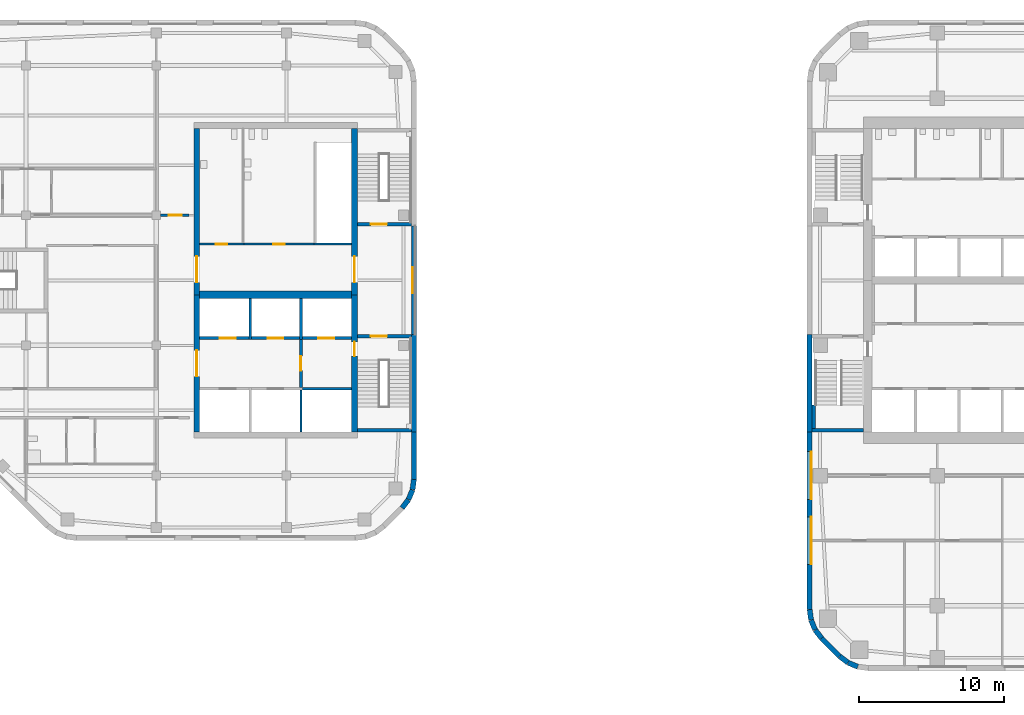
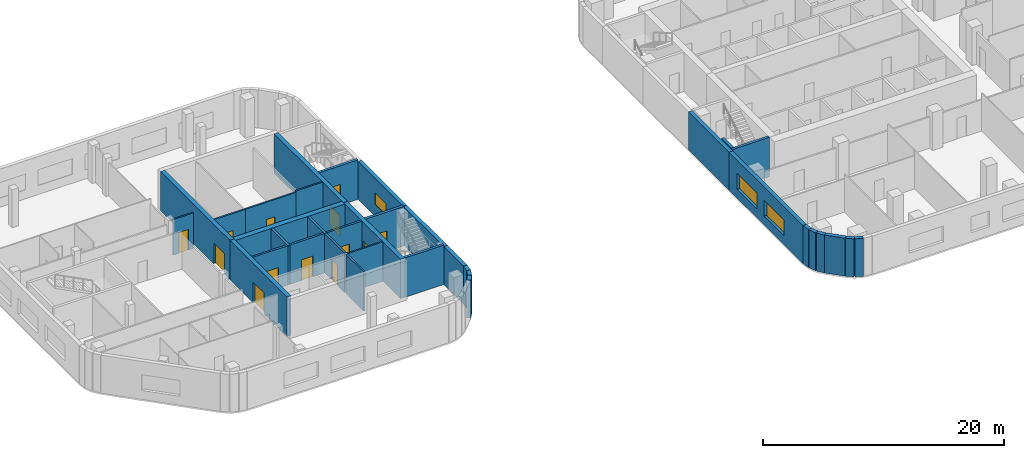
# One storey, part 6 of 14: 36 walls, 13 doors, 3 windows, 16 openings.
"""IFC4 building model written with IfcOpenShell, lengths in metres."""

from ifc_helpers import new_model, si_unit, direction, frame, frame_2d, origin, place, context, subcontext, project, spatial, rectangle, extrude, material, layer, layer_set, type_object, element, fill, save


model = new_model("IFC4")

# Units and contexts
model_context = context("Model", 3, precision=1e-05, world=origin(), true_north=direction((0.0, 1.0)))
body_context = subcontext(model_context, "Body", "Model", "MODEL_VIEW")
ifc_project = project(units=[si_unit("LENGTHUNIT", "METRE"), si_unit("AREAUNIT", "SQUARE_METRE"), si_unit("VOLUMEUNIT", "CUBIC_METRE"), si_unit("PLANEANGLEUNIT", "RADIAN"), si_unit("MASSUNIT", "GRAM", prefix="KILO")], contexts=[model_context])

# Site, building, storey
site_placement = place(None, origin())
site = spatial("IfcSite", under=ifc_project, at=site_placement, CompositionType="ELEMENT")
building_placement = place(site_placement, origin())
building = spatial("IfcBuilding", under=site, at=building_placement, Name="Cinnabar Reach Civic Tower", CompositionType="ELEMENT")
storey_placement = place(building_placement, frame((0.0, 0.0, 124.0)))
storey = spatial("IfcBuildingStorey", under=building, at=storey_placement, Name="L29", CompositionType="ELEMENT", Elevation=124.0)

# Walls
ifc_material_1 = material(Name="Facing brick with insulated backing", Category="masonry")
ifc_layer_1 = layer(ifc_material_1, 0.36)
ifc_layer_set_1 = layer_set([ifc_layer_1], Name="Brick corner wall")
wall_type_1 = type_object("IfcWallType", Name="Brick corner wall", PredefinedType="STANDARD", material=ifc_layer_set_1)
for number, where, z_axis, x_axis, name in (
    (1, (0.183, 8.7314, 0.0), (0.0, 0.0, 1.0), (0.13055608231, -0.99144092581, 0.0), "Brick corner wall"),
    (2, (0.2819, 8.0027, 0.0), (0.0, 0.0, 1.0), (0.382702709855, -0.923871547278, 0.0), "Brick corner wall"),
):
    element("IfcWall", number, at=place(storey_placement, frame(where, z_axis=z_axis, x_axis=x_axis)), inside=storey, type_object=wall_type_1, Name=name, PredefinedType="STANDARD", context=body_context, shape_type="SweptSolid", body=[
        extrude(rectangle(XDim=0.7131, YDim=0.36, at=frame_2d((0.3565, 0.0))), origin(), (0.0, 0.0, 1.0), 3.85),
    ])
for number, where, z_axis, x_axis, name in (
    (3, (0.566, 7.3245, 0.0), (0.0, 0.0, 1.0), (0.608802368033, -0.793321924995, 0.0), "Brick corner wall"),
    (4, (2.2587, 5.5002, 0.0), (0.0, 0.0, 1.0), (0.793321924995, -0.608802368033, 0.0), "Brick corner wall"),
):
    element("IfcWall", number, at=place(storey_placement, frame(where, z_axis=z_axis, x_axis=x_axis)), inside=storey, type_object=wall_type_1, Name=name, PredefinedType="STANDARD", context=body_context, shape_type="SweptSolid", body=[
        extrude(rectangle(XDim=0.7132, YDim=0.36, at=frame_2d((0.3566, 0.0))), origin(), (0.0, 0.0, 1.0), 3.85),
    ])
wall_1_placement = place(storey_placement, frame((2.8439, 5.0548, 0.0), z_axis=(0.0, 0.0, 1.0), x_axis=(0.923871547278, -0.382702709855, 0.0)))
element("IfcWall", 5, at=wall_1_placement, inside=storey, type_object=wall_type_1, Name="Brick corner wall", PredefinedType="STANDARD", context=body_context, shape_type="SweptSolid", body=[
    extrude(rectangle(XDim=0.7131, YDim=0.36, at=frame_2d((0.3565, 0.0))), origin(), (0.0, 0.0, 1.0), 3.85),
])
wall_2_placement = place(storey_placement, frame((-28.0002, 15.7587, 0.0), z_axis=(0.0, 0.0, 1.0), x_axis=(0.608802368033, 0.793321924995, 0.0)))
element("IfcWall", 6, at=wall_2_placement, inside=storey, type_object=wall_type_1, Name="Brick corner wall", PredefinedType="STANDARD", context=body_context, shape_type="SweptSolid", body=[
    extrude(rectangle(XDim=0.7132, YDim=0.36, at=frame_2d((0.3566, 0.0))), origin(), (0.0, 0.0, 1.0), 3.85),
])
for number, where, z_axis, x_axis, name in (
    (7, (-27.5548, 16.3439, 0.0), (0.0, 0.0, 1.0), (0.382702709855, 0.923871547278, 0.0), "Brick corner wall"),
    (8, (-27.2761, 17.0244, 0.0), (0.0, 0.0, 1.0), (0.13055608231, 0.99144092581, 0.0), "Brick corner wall"),
):
    element("IfcWall", number, at=place(storey_placement, frame(where, z_axis=z_axis, x_axis=x_axis)), inside=storey, type_object=wall_type_1, Name=name, PredefinedType="STANDARD", context=body_context, shape_type="SweptSolid", body=[
        extrude(rectangle(XDim=0.7131, YDim=0.36, at=frame_2d((0.3565, 0.0))), origin(), (0.0, 0.0, 1.0), 3.85),
    ])
ifc_layer_2 = layer(ifc_material_1, 0.36)
ifc_layer_set_2 = layer_set([ifc_layer_2], Name="Brick pier and spandrel wall")
wall_type_2 = type_object("IfcWallType", Name="Brick pier and spandrel wall", PredefinedType="STANDARD", material=ifc_layer_set_2)
wall_3_placement = place(storey_placement, frame((0.18, 27.75, 0.0), z_axis=(0.0, 0.0, 1.0), x_axis=(0.0, -1.0, 0.0)))
element("IfcWall", 9, at=wall_3_placement, inside=storey, type_object=wall_type_2, Name="Brick facade wall", PredefinedType="STANDARD", context=body_context, shape_type="SweptSolid", body=[
    extrude(rectangle(XDim=6.75, YDim=0.36, at=frame_2d((3.375, 0.0))), origin(), (0.0, 0.0, 1.0), 3.85),
])

# Wall, openings, windows
wall_4_placement = place(storey_placement, frame((0.18, 21.0, 0.0), z_axis=(0.0, 0.0, 1.0), x_axis=(0.0, -1.0, 0.0)))
wall_4 = element("IfcWall", 10, at=wall_4_placement, inside=storey, type_object=wall_type_2, Name="Brick facade wall", PredefinedType="STANDARD", context=body_context, shape_type="SweptSolid", body=[
    extrude(rectangle(XDim=12.2574, YDim=0.36, at=frame_2d((6.1287, 0.0))), origin(), (0.0, 0.0, 1.0), 3.85),
])
opening_1_placement = place(wall_4_placement, frame((1.35, 0.0, 0.9)))
opening_1 = element("IfcOpeningElement", 11, at=opening_1_placement, cuts=wall_4, Name="Opening W1631", PredefinedType="OPENING", context=body_context, shape_type="SweptSolid", body=[
    extrude(rectangle(XDim=3.3, YDim=1.6, at=frame_2d((1.65, 0.8))), frame((0.0, 0.19, 0.0), z_axis=(0.0, -1.0, 0.0), x_axis=(1.0, 0.0, 0.0)), (0.0, 0.0, 1.0), 0.38),
])
opening_2_placement = place(wall_4_placement, frame((5.85, 0.0, 0.9)))
opening_2 = element("IfcOpeningElement", 12, at=opening_2_placement, cuts=wall_4, Name="Opening W1632", PredefinedType="OPENING", context=body_context, shape_type="SweptSolid", body=[
    extrude(rectangle(XDim=3.3, YDim=1.6, at=frame_2d((1.65, 0.8))), frame((0.0, 0.19, 0.0), z_axis=(0.0, -1.0, 0.0), x_axis=(1.0, 0.0, 0.0)), (0.0, 0.0, 1.0), 0.38),
])
ifc_material_2 = material(Name="Clear double glazing in aluminium frame", Category="aluminium")
window_type_1 = type_object("IfcWindowType", Name="Deep-set window A", PartitioningType="SINGLE_PANEL", PredefinedType="WINDOW", material=ifc_material_2)
window_1_placement = place(opening_1_placement, origin())
window_1 = element("IfcWindow", 13, at=window_1_placement, inside=storey, type_object=window_type_1, Name="Window west face", OverallHeight=1.6, OverallWidth=3.3, PartitioningType="SINGLE_PANEL", PredefinedType="WINDOW", context=body_context, shape_type="SweptSolid", body=[
    extrude(rectangle(XDim=3.3, YDim=1.6, at=frame_2d((1.65, 0.8))), frame((0.0, 0.13, 0.0), z_axis=(0.0, -1.0, 0.0), x_axis=(1.0, 0.0, 0.0)), (0.0, 0.0, 1.0), 0.06),
])
fill(opening_1, window_1)
window_2_placement = place(opening_2_placement, origin())
window_2 = element("IfcWindow", 14, at=window_2_placement, inside=storey, type_object=window_type_1, Name="Window west face", OverallHeight=1.6, OverallWidth=3.3, PartitioningType="SINGLE_PANEL", PredefinedType="WINDOW", context=body_context, shape_type="SweptSolid", body=[
    extrude(rectangle(XDim=3.3, YDim=1.6, at=frame_2d((1.65, 0.8))), frame((0.0, 0.13, 0.0), z_axis=(0.0, -1.0, 0.0), x_axis=(1.0, 0.0, 0.0)), (0.0, 0.0, 1.0), 0.06),
])
fill(opening_2, window_2)

# Walls
wall_5_placement = place(storey_placement, frame((1.006, 6.7486, 0.0), z_axis=(0.0, 0.0, 1.0), x_axis=(0.707106781187, -0.707106781187, 0.0)))
element("IfcWall", 15, at=wall_5_placement, inside=storey, type_object=wall_type_2, Name="Brick facade wall", PredefinedType="STANDARD", context=body_context, shape_type="SweptSolid", body=[
    extrude(rectangle(XDim=1.7573, YDim=0.36, at=frame_2d((0.8787, 0.0))), origin(), (0.0, 0.0, 1.0), 3.85),
])
wall_6_placement = place(storey_placement, frame((-27.18, 17.7426, 0.0), z_axis=(0.0, 0.0, 1.0), x_axis=(0.0, 1.0, 0.0)))
element("IfcWall", 16, at=wall_6_placement, inside=storey, type_object=wall_type_2, Name="Brick facade wall", PredefinedType="STANDARD", context=body_context, shape_type="SweptSolid", body=[
    extrude(rectangle(XDim=3.2574, YDim=0.36, at=frame_2d((1.6287, 0.0))), origin(), (0.0, 0.0, 1.0), 3.85),
])
wall_7_placement = place(storey_placement, frame((-27.18, 21.0, 0.0), z_axis=(0.0, 0.0, 1.0), x_axis=(0.0, 1.0, 0.0)))
element("IfcWall", 17, at=wall_7_placement, inside=storey, type_object=wall_type_2, Name="Brick facade wall", PredefinedType="STANDARD", context=body_context, shape_type="SweptSolid", body=[
    extrude(rectangle(XDim=6.75, YDim=0.36, at=frame_2d((3.375, 0.0))), origin(), (0.0, 0.0, 1.0), 3.85),
])

# Wall, opening, window
wall_8_placement = place(storey_placement, frame((-27.18, 27.75, 0.0), z_axis=(0.0, 0.0, 1.0), x_axis=(0.0, 1.0, 0.0)))
wall_8 = element("IfcWall", 18, at=wall_8_placement, inside=storey, type_object=wall_type_2, Name="Brick facade wall", PredefinedType="STANDARD", context=body_context, shape_type="SweptSolid", body=[
    extrude(rectangle(XDim=7.5, YDim=0.36, at=frame_2d((3.75, 0.0))), origin(), (0.0, 0.0, 1.0), 3.85),
])
opening_3_placement = place(wall_8_placement, frame((2.85, 0.0, 1.2)))
opening_3 = element("IfcOpeningElement", 19, at=opening_3_placement, cuts=wall_8, Name="Opening W2754", PredefinedType="OPENING", context=body_context, shape_type="SweptSolid", body=[
    extrude(rectangle(XDim=1.8, YDim=1.2, at=frame_2d((0.9, 0.6))), frame((0.0, 0.19, 0.0), z_axis=(0.0, -1.0, 0.0), x_axis=(1.0, 0.0, 0.0)), (0.0, 0.0, 1.0), 0.38),
])
window_type_2 = type_object("IfcWindowType", Name="Deep-set window C", PartitioningType="SINGLE_PANEL", PredefinedType="WINDOW", material=ifc_material_2)
window_3_placement = place(opening_3_placement, origin())
window_3 = element("IfcWindow", 20, at=window_3_placement, inside=storey, type_object=window_type_2, Name="Window east face", OverallHeight=1.2, OverallWidth=1.8, PartitioningType="SINGLE_PANEL", PredefinedType="WINDOW", context=body_context, shape_type="SweptSolid", body=[
    extrude(rectangle(XDim=1.8, YDim=1.2, at=frame_2d((0.9, 0.6))), frame((0.0, 0.13, 0.0), z_axis=(0.0, -1.0, 0.0), x_axis=(1.0, 0.0, 0.0)), (0.0, 0.0, 1.0), 0.06),
])
fill(opening_3, window_3)

# Wall, opening, door
ifc_material_3 = material(Name="Concrete C60", Category="concrete")
ifc_layer_3 = layer(ifc_material_3, 0.4)
ifc_layer_set_3 = layer_set([ifc_layer_3], Name="Core wall 400 EI 180")
wall_type_3 = type_object("IfcWallType", Name="Core wall 400 EI 180", PredefinedType="SOLIDWALL", material=ifc_layer_set_3)
wall_9_placement = place(storey_placement, frame((-31.3, 21.0, 0.0), z_axis=(0.0, 0.0, 1.0), x_axis=(0.0, 1.0, 0.0)))
wall_9 = element("IfcWall", 21, at=wall_9_placement, inside=storey, type_object=wall_type_3, Name="Core wall T2 L29 E", PredefinedType="SOLIDWALL", context=body_context, shape_type="SweptSolid", body=[
    extrude(rectangle(XDim=9.5, YDim=0.4, at=frame_2d((4.75, 0.0))), origin(), (0.0, 0.0, 1.0), 4.0),
])
opening_4_placement = place(wall_9_placement, frame((5.25, 0.0, 0.0)))
opening_4 = element("IfcOpeningElement", 22, at=opening_4_placement, cuts=wall_9, Name="Opening D7046", PredefinedType="OPENING", context=body_context, shape_type="SweptSolid", body=[
    extrude(rectangle(XDim=1.0, YDim=2.1, at=frame_2d((0.5, 1.05))), frame((0.0, 0.21, 0.0), z_axis=(0.0, -1.0, 0.0), x_axis=(1.0, 0.0, 0.0)), (0.0, 0.0, 1.0), 0.42),
])
ifc_material_4 = material(Name="Steel fire door", Category="steel")
door_type_1 = type_object("IfcDoorType", Name="T2 Firefighting lobby door 1000", OperationType="SINGLE_SWING_LEFT", PredefinedType="DOOR", material=ifc_material_4)
door_1_placement = place(opening_4_placement, frame((1.0, 0.0, 0.0), z_axis=(0.0, 0.0, 1.0), x_axis=(-1.0, 0.0, 0.0)))
door_1 = element("IfcDoor", 23, at=door_1_placement, inside=storey, type_object=door_type_1, Name="T2 Firefighting lobby door D7046", OperationType="SINGLE_SWING_LEFT", OverallHeight=2.1, OverallWidth=1.0, PredefinedType="DOOR", context=body_context, shape_type="SweptSolid", body=[
    extrude(rectangle(XDim=1.0, YDim=2.1, at=frame_2d((0.5, 1.05))), frame((0.0, 0.025, 0.0), z_axis=(0.0, -1.0, 0.0), x_axis=(1.0, 0.0, 0.0)), (0.0, 0.0, 1.0), 0.05),
])
fill(opening_4, door_1)

wall_10_placement = place(storey_placement, frame((-31.3, 30.5, 0.0), z_axis=(0.0, 0.0, 1.0), x_axis=(0.0, 1.0, 0.0)))
wall_10 = element("IfcWall", 24, at=wall_10_placement, inside=storey, type_object=wall_type_3, Name="Core wall T2 L29 E2", PredefinedType="SOLIDWALL", context=body_context, shape_type="SweptSolid", body=[
    extrude(rectangle(XDim=11.5, YDim=0.4, at=frame_2d((5.75, 0.0))), origin(), (0.0, 0.0, 1.0), 4.0),
])
opening_5_placement = place(wall_10_placement, frame((0.85, 0.0, 0.0)))
opening_5 = element("IfcOpeningElement", 25, at=opening_5_placement, cuts=wall_10, Name="Opening D7049", PredefinedType="OPENING", context=body_context, shape_type="SweptSolid", body=[
    extrude(rectangle(XDim=1.8, YDim=2.1, at=frame_2d((0.9, 1.05))), frame((0.0, 0.21, 0.0), z_axis=(0.0, -1.0, 0.0), x_axis=(1.0, 0.0, 0.0)), (0.0, 0.0, 1.0), 0.42),
])
door_type_2 = type_object("IfcDoorType", Name="T2 Double door 1800", OperationType="DOUBLE_DOOR_SINGLE_SWING", PredefinedType="DOOR", material=ifc_material_4)
door_2_placement = place(opening_5_placement, origin())
door_2 = element("IfcDoor", 26, at=door_2_placement, inside=storey, type_object=door_type_2, Name="T2 Double door D7049", OperationType="DOUBLE_DOOR_SINGLE_SWING", OverallHeight=2.1, OverallWidth=1.8, PredefinedType="DOOR", context=body_context, shape_type="SweptSolid", body=[
    extrude(rectangle(XDim=1.8, YDim=2.1, at=frame_2d((0.9, 1.05))), frame((0.0, 0.025, 0.0), z_axis=(0.0, -1.0, 0.0), x_axis=(1.0, 0.0, 0.0)), (0.0, 0.0, 1.0), 0.05),
])
fill(opening_5, door_2)

wall_11_placement = place(storey_placement, frame((-42.2, 42.0, 0.0), z_axis=(0.0, 0.0, 1.0), x_axis=(0.0, -1.0, 0.0)))
wall_11 = element("IfcWall", 27, at=wall_11_placement, inside=storey, type_object=wall_type_3, Name="Core wall T2 L29 W", PredefinedType="SOLIDWALL", context=body_context, shape_type="SweptSolid", body=[
    extrude(rectangle(XDim=11.5, YDim=0.4, at=frame_2d((5.75, 0.0))), origin(), (0.0, 0.0, 1.0), 4.0),
])
opening_6_placement = place(wall_11_placement, frame((8.85, 0.0, 0.0)))
opening_6 = element("IfcOpeningElement", 28, at=opening_6_placement, cuts=wall_11, Name="Opening D7051", PredefinedType="OPENING", context=body_context, shape_type="SweptSolid", body=[
    extrude(rectangle(XDim=1.8, YDim=2.1, at=frame_2d((0.9, 1.05))), frame((0.0, 0.21, 0.0), z_axis=(0.0, -1.0, 0.0), x_axis=(1.0, 0.0, 0.0)), (0.0, 0.0, 1.0), 0.42),
])
door_3_placement = place(opening_6_placement, frame((1.8, 0.0, 0.0), z_axis=(0.0, 0.0, 1.0), x_axis=(-1.0, 0.0, 0.0)))
door_3 = element("IfcDoor", 29, at=door_3_placement, inside=storey, type_object=door_type_2, Name="T2 Double door D7051", OperationType="DOUBLE_DOOR_SINGLE_SWING", OverallHeight=2.1, OverallWidth=1.8, PredefinedType="DOOR", context=body_context, shape_type="SweptSolid", body=[
    extrude(rectangle(XDim=1.8, YDim=2.1, at=frame_2d((0.9, 1.05))), frame((0.0, 0.025, 0.0), z_axis=(0.0, -1.0, 0.0), x_axis=(1.0, 0.0, 0.0)), (0.0, 0.0, 1.0), 0.05),
])
fill(opening_6, door_3)

wall_12_placement = place(storey_placement, frame((-42.2, 30.5, 0.0), z_axis=(0.0, 0.0, 1.0), x_axis=(0.0, -1.0, 0.0)))
wall_12 = element("IfcWall", 30, at=wall_12_placement, inside=storey, type_object=wall_type_3, Name="Core wall T2 L29 W2", PredefinedType="SOLIDWALL", context=body_context, shape_type="SweptSolid", body=[
    extrude(rectangle(XDim=9.5, YDim=0.4, at=frame_2d((4.75, 0.0))), origin(), (0.0, 0.0, 1.0), 4.0),
])
opening_7_placement = place(wall_12_placement, frame((3.85, 0.0, 0.0)))
opening_7 = element("IfcOpeningElement", 31, at=opening_7_placement, cuts=wall_12, Name="Opening D7050", PredefinedType="OPENING", context=body_context, shape_type="SweptSolid", body=[
    extrude(rectangle(XDim=1.8, YDim=2.1, at=frame_2d((0.9, 1.05))), frame((0.0, 0.21, 0.0), z_axis=(0.0, -1.0, 0.0), x_axis=(1.0, 0.0, 0.0)), (0.0, 0.0, 1.0), 0.42),
])
door_4_placement = place(opening_7_placement, origin())
door_4 = element("IfcDoor", 32, at=door_4_placement, inside=storey, type_object=door_type_2, Name="T2 Double door D7050", OperationType="DOUBLE_DOOR_SINGLE_SWING", OverallHeight=2.1, OverallWidth=1.8, PredefinedType="DOOR", context=body_context, shape_type="SweptSolid", body=[
    extrude(rectangle(XDim=1.8, YDim=2.1, at=frame_2d((0.9, 1.05))), frame((0.0, 0.025, 0.0), z_axis=(0.0, -1.0, 0.0), x_axis=(1.0, 0.0, 0.0)), (0.0, 0.0, 1.0), 0.05),
])
fill(opening_7, door_4)

# Wall
ifc_layer_4 = layer(ifc_material_3, 0.5)
ifc_layer_set_4 = layer_set([ifc_layer_4], Name="Core wall 500 EI 180")
wall_type_4 = type_object("IfcWallType", Name="Core wall 500 EI 180", PredefinedType="SOLIDWALL", material=ifc_layer_set_4)
wall_13_placement = place(storey_placement, frame((-42.0, 30.5, 0.0), z_axis=(0.0, 0.0, 1.0), x_axis=(1.0, 0.0, 0.0)))
element("IfcWall", 33, at=wall_13_placement, inside=storey, type_object=wall_type_4, Name="Core spine wall T2 L29", PredefinedType="SOLIDWALL", context=body_context, shape_type="SweptSolid", body=[
    extrude(rectangle(XDim=10.5, YDim=0.5, at=frame_2d((5.25, 0.0))), origin(), (0.0, 0.0, 1.0), 4.0),
])

# Wall, opening, door
ifc_material_5 = material(Name="Gypsum board on steel studs, double layer", Category="steel")
ifc_layer_5 = layer(ifc_material_5, 0.15)
ifc_layer_set_5 = layer_set([ifc_layer_5], Name="Corridor wall 150 T2")
wall_type_5 = type_object("IfcWallType", Name="Corridor wall 150 T2", PredefinedType="PARTITIONING", material=ifc_layer_set_5)
wall_14_placement = place(storey_placement, frame((-44.7, 36.0, 0.0), z_axis=(0.0, 0.0, 1.0), x_axis=(1.0, 0.0, 0.0)))
wall_14 = element("IfcWall", 34, at=wall_14_placement, inside=storey, type_object=wall_type_5, Name="Corridor wall 1", PredefinedType="PARTITIONING", context=body_context, shape_type="SweptSolid", body=[
    extrude(rectangle(XDim=1.975, YDim=0.15, at=frame_2d((0.9875, 0.0))), origin(), (0.0, 0.0, 1.0), 3.602),
])
opening_8_placement = place(wall_14_placement, frame((0.55, 0.0, 0.0)))
opening_8 = element("IfcOpeningElement", 35, at=opening_8_placement, cuts=wall_14, Name="Opening D7054", PredefinedType="OPENING", context=body_context, shape_type="SweptSolid", body=[
    extrude(rectangle(XDim=0.9, YDim=2.1, at=frame_2d((0.45, 1.05))), frame((0.0, 0.085, 0.0), z_axis=(0.0, -1.0, 0.0), x_axis=(1.0, 0.0, 0.0)), (0.0, 0.0, 1.0), 0.17),
])
ifc_material_6 = material(Name="Timber door leaf in steel frame", Category="steel")
door_type_3 = type_object("IfcDoorType", Name="Single swing door 900 x 2100 T2", OperationType="SINGLE_SWING_LEFT", PredefinedType="DOOR", material=ifc_material_6)
door_5_placement = place(opening_8_placement, origin())
door_5 = element("IfcDoor", 36, at=door_5_placement, inside=storey, type_object=door_type_3, Name="Door D7054", OperationType="SINGLE_SWING_LEFT", OverallHeight=2.1, OverallWidth=0.9, PredefinedType="DOOR", context=body_context, shape_type="SweptSolid", body=[
    extrude(rectangle(XDim=0.9, YDim=2.1, at=frame_2d((0.45, 1.05))), frame((0.0, 0.025, 0.0), z_axis=(0.0, -1.0, 0.0), x_axis=(1.0, 0.0, 0.0)), (0.0, 0.0, 1.0), 0.05),
])
fill(opening_8, door_5)

# Walls
ifc_layer_6 = layer(ifc_material_3, 0.25)
ifc_layer_set_6 = layer_set([ifc_layer_6], Name="Stair shaft wall 250 EI 120")
wall_type_6 = type_object("IfcWallType", Name="Stair shaft wall 250 EI 120", PredefinedType="SOLIDWALL", material=ifc_layer_set_6)
wall_15_placement = place(storey_placement, frame((0.36, 21.125, 0.0), z_axis=(0.0, 0.0, 1.0), x_axis=(1.0, 0.0, 0.0)))
element("IfcWall", 37, at=wall_15_placement, inside=storey, type_object=wall_type_6, Name="Stair shaft wall T1-S1 L29", PredefinedType="SOLIDWALL", context=body_context, shape_type="SweptSolid", body=[
    extrude(rectangle(XDim=3.54, YDim=0.25, at=frame_2d((1.77, 0.0))), origin(), (0.0, 0.0, 1.0), 4.0),
])
wall_16_placement = place(storey_placement, frame((-31.1, 21.125, 0.0), z_axis=(0.0, 0.0, 1.0), x_axis=(1.0, 0.0, 0.0)))
element("IfcWall", 38, at=wall_16_placement, inside=storey, type_object=wall_type_6, Name="Stair shaft wall T2-S1 L29", PredefinedType="SOLIDWALL", context=body_context, shape_type="SweptSolid", body=[
    extrude(rectangle(XDim=3.74, YDim=0.25, at=frame_2d((1.87, 0.0))), origin(), (0.0, 0.0, 1.0), 4.0),
])

# Wall, opening, door
wall_17_placement = place(storey_placement, frame((-27.36, 27.625, 0.0), z_axis=(0.0, 0.0, 1.0), x_axis=(-1.0, 0.0, 0.0)))
wall_17 = element("IfcWall", 39, at=wall_17_placement, inside=storey, type_object=wall_type_6, Name="Stair shaft wall T2-S1 L29", PredefinedType="SOLIDWALL", context=body_context, shape_type="SweptSolid", body=[
    extrude(rectangle(XDim=3.74, YDim=0.25, at=frame_2d((1.87, 0.0))), origin(), (0.0, 0.0, 1.0), 4.0),
])
opening_9_placement = place(wall_17_placement, frame((1.69, 0.0, 0.0)))
opening_9 = element("IfcOpeningElement", 40, at=opening_9_placement, cuts=wall_17, Name="Opening D7047", PredefinedType="OPENING", context=body_context, shape_type="SweptSolid", body=[
    extrude(rectangle(XDim=1.1, YDim=2.1, at=frame_2d((0.55, 1.05))), frame((0.0, 0.135, 0.0), z_axis=(0.0, -1.0, 0.0), x_axis=(1.0, 0.0, 0.0)), (0.0, 0.0, 1.0), 0.27),
])
door_type_4 = type_object("IfcDoorType", Name="T2 Stair door 1100", OperationType="SINGLE_SWING_LEFT", PredefinedType="DOOR", material=ifc_material_4)
door_6_placement = place(opening_9_placement, origin())
door_6 = element("IfcDoor", 41, at=door_6_placement, inside=storey, type_object=door_type_4, Name="T2 Stair door D7047", OperationType="SINGLE_SWING_RIGHT", OverallHeight=2.1, OverallWidth=1.1, PredefinedType="DOOR", context=body_context, shape_type="SweptSolid", body=[
    extrude(rectangle(XDim=1.1, YDim=2.1, at=frame_2d((0.55, 1.05))), frame((0.0, 0.025, 0.0), z_axis=(0.0, -1.0, 0.0), x_axis=(1.0, 0.0, 0.0)), (0.0, 0.0, 1.0), 0.05),
])
fill(opening_9, door_6)

wall_18_placement = place(storey_placement, frame((-31.1, 35.375, 0.0), z_axis=(0.0, 0.0, 1.0), x_axis=(1.0, 0.0, 0.0)))
wall_18 = element("IfcWall", 42, at=wall_18_placement, inside=storey, type_object=wall_type_6, Name="Stair shaft wall T2-S2 L29", PredefinedType="SOLIDWALL", context=body_context, shape_type="SweptSolid", body=[
    extrude(rectangle(XDim=3.74, YDim=0.25, at=frame_2d((1.87, 0.0))), origin(), (0.0, 0.0, 1.0), 4.0),
])
opening_10_placement = place(wall_18_placement, frame((0.95, 0.0, 0.0)))
opening_10 = element("IfcOpeningElement", 43, at=opening_10_placement, cuts=wall_18, Name="Opening D7048", PredefinedType="OPENING", context=body_context, shape_type="SweptSolid", body=[
    extrude(rectangle(XDim=1.1, YDim=2.1, at=frame_2d((0.55, 1.05))), frame((0.0, 0.135, 0.0), z_axis=(0.0, -1.0, 0.0), x_axis=(1.0, 0.0, 0.0)), (0.0, 0.0, 1.0), 0.27),
])
door_7_placement = place(opening_10_placement, origin())
door_7 = element("IfcDoor", 44, at=door_7_placement, inside=storey, type_object=door_type_4, Name="T2 Stair door D7048", OperationType="SINGLE_SWING_RIGHT", OverallHeight=2.1, OverallWidth=1.1, PredefinedType="DOOR", context=body_context, shape_type="SweptSolid", body=[
    extrude(rectangle(XDim=1.1, YDim=2.1, at=frame_2d((0.55, 1.05))), frame((0.0, 0.025, 0.0), z_axis=(0.0, -1.0, 0.0), x_axis=(1.0, 0.0, 0.0)), (0.0, 0.0, 1.0), 0.05),
])
fill(opening_10, door_7)

# Wall
ifc_material_7 = material(Name="Concrete C40/50", Category="concrete")
ifc_layer_7 = layer(ifc_material_7, 0.24)
ifc_layer_set_7 = layer_set([ifc_layer_7], Name="T1 landing bearer wall 240")
wall_type_7 = type_object("IfcWallType", Name="T1 landing bearer wall 240", PredefinedType="STANDARD", material=ifc_layer_set_7)
wall_19_placement = place(storey_placement, frame((0.48, 21.25, 0.0), z_axis=(0.0, 0.0, 1.0), x_axis=(0.0, 1.0, 0.0)))
element("IfcWall", 45, at=wall_19_placement, inside=storey, type_object=wall_type_7, Name="T1-S1 landing bearer wall", PredefinedType="STANDARD", context=body_context, shape_type="SweptSolid", body=[
    extrude(rectangle(XDim=1.62, YDim=0.24, at=frame_2d((0.81, 0.0))), origin(), (0.0, 0.0, 1.0), 4.0),
])

# Wall, opening, door
ifc_material_8 = material(Name="Masonry block partition", Category="masonry")
ifc_layer_8 = layer(ifc_material_8, 0.15)
ifc_layer_set_8 = layer_set([ifc_layer_8], Name="T2 Corridor wall 150")
wall_type_8 = type_object("IfcWallType", Name="T2 Corridor wall 150", PredefinedType="PARTITIONING", material=ifc_layer_set_8)
wall_20_placement = place(storey_placement, frame((-38.925, 34.0, 0.0), z_axis=(0.0, 0.0, 1.0), x_axis=(-1.0, 0.0, 0.0)))
wall_20 = element("IfcWall", 46, at=wall_20_placement, inside=storey, type_object=wall_type_8, Name="T2 Corridor wall L29 014", PredefinedType="PARTITIONING", context=body_context, shape_type="SweptSolid", body=[
    extrude(rectangle(XDim=3.075, YDim=0.15, at=frame_2d((1.5375, 0.0))), origin(), (0.0, 0.0, 1.0), 3.85),
])
opening_11_placement = place(wall_20_placement, frame((1.175, 0.0, 0.0)))
opening_11 = element("IfcOpeningElement", 47, at=opening_11_placement, cuts=wall_20, Name="Opening D7052", PredefinedType="OPENING", context=body_context, shape_type="SweptSolid", body=[
    extrude(rectangle(XDim=0.8, YDim=2.1, at=frame_2d((0.4, 1.05))), frame((0.0, 0.085, 0.0), z_axis=(0.0, -1.0, 0.0), x_axis=(1.0, 0.0, 0.0)), (0.0, 0.0, 1.0), 0.17),
])
ifc_material_9 = material(Name="Timber door leaf", Category="wood")
door_type_5 = type_object("IfcDoorType", Name="T2 Bathroom door 800", OperationType="SINGLE_SWING_LEFT", PredefinedType="DOOR", material=ifc_material_9)
door_8_placement = place(opening_11_placement, frame((0.8, 0.0, 0.0), z_axis=(0.0, 0.0, 1.0), x_axis=(-1.0, 0.0, 0.0)))
door_8 = element("IfcDoor", 48, at=door_8_placement, inside=storey, type_object=door_type_5, Name="T2 Bathroom door D7052", OperationType="SINGLE_SWING_LEFT", OverallHeight=2.1, OverallWidth=0.8, PredefinedType="DOOR", context=body_context, shape_type="SweptSolid", body=[
    extrude(rectangle(XDim=0.8, YDim=2.1, at=frame_2d((0.4, 1.05))), frame((0.0, 0.025, 0.0), z_axis=(0.0, -1.0, 0.0), x_axis=(1.0, 0.0, 0.0)), (0.0, 0.0, 1.0), 0.05),
])
fill(opening_11, door_8)

wall_21_placement = place(storey_placement, frame((-34.075, 34.0, 0.0), z_axis=(0.0, 0.0, 1.0), x_axis=(-1.0, 0.0, 0.0)))
wall_21 = element("IfcWall", 49, at=wall_21_placement, inside=storey, type_object=wall_type_8, Name="T2 Corridor wall L29 015", PredefinedType="PARTITIONING", context=body_context, shape_type="SweptSolid", body=[
    extrude(rectangle(XDim=4.85, YDim=0.15, at=frame_2d((2.425, 0.0))), origin(), (0.0, 0.0, 1.0), 3.85),
])
opening_12_placement = place(wall_21_placement, frame((2.025, 0.0, 0.0)))
opening_12 = element("IfcOpeningElement", 50, at=opening_12_placement, cuts=wall_21, Name="Opening D7053", PredefinedType="OPENING", context=body_context, shape_type="SweptSolid", body=[
    extrude(rectangle(XDim=0.8, YDim=2.1, at=frame_2d((0.4, 1.05))), frame((0.0, 0.085, 0.0), z_axis=(0.0, -1.0, 0.0), x_axis=(1.0, 0.0, 0.0)), (0.0, 0.0, 1.0), 0.17),
])
door_9_placement = place(opening_12_placement, frame((0.8, 0.0, 0.0), z_axis=(0.0, 0.0, 1.0), x_axis=(-1.0, 0.0, 0.0)))
door_9 = element("IfcDoor", 51, at=door_9_placement, inside=storey, type_object=door_type_5, Name="T2 Bathroom door D7053", OperationType="SINGLE_SWING_LEFT", OverallHeight=2.1, OverallWidth=0.8, PredefinedType="DOOR", context=body_context, shape_type="SweptSolid", body=[
    extrude(rectangle(XDim=0.8, YDim=2.1, at=frame_2d((0.4, 1.05))), frame((0.0, 0.025, 0.0), z_axis=(0.0, -1.0, 0.0), x_axis=(1.0, 0.0, 0.0)), (0.0, 0.0, 1.0), 0.05),
])
fill(opening_12, door_9)

# Walls
ifc_material_10 = material(Name="Concrete C40", Category="concrete")
ifc_layer_9 = layer(ifc_material_10, 0.15)
ifc_layer_set_9 = layer_set([ifc_layer_9], Name="T2 Riser wall 150")
wall_type_9 = type_object("IfcWallType", Name="T2 Riser wall 150", PredefinedType="SOLIDWALL", material=ifc_layer_set_9)
wall_22_placement = place(storey_placement, frame((-35.0, 21.0, 0.0), z_axis=(0.0, 0.0, 1.0), x_axis=(0.0, 1.0, 0.0)))
element("IfcWall", 52, at=wall_22_placement, inside=storey, type_object=wall_type_9, Name="T2 Riser wall L29 010", PredefinedType="SOLIDWALL", context=body_context, shape_type="SweptSolid", body=[
    extrude(rectangle(XDim=2.9, YDim=0.15, at=frame_2d((1.45, 0.0))), origin(), (0.0, 0.0, 1.0), 4.0),
])
wall_23_placement = place(storey_placement, frame((-31.5, 24.0, 0.0), z_axis=(0.0, 0.0, 1.0), x_axis=(-1.0, 0.0, 0.0)))
element("IfcWall", 53, at=wall_23_placement, inside=storey, type_object=wall_type_9, Name="T2 Riser wall L29 011", PredefinedType="SOLIDWALL", context=body_context, shape_type="SweptSolid", body=[
    extrude(rectangle(XDim=3.4, YDim=0.15, at=frame_2d((1.7, 0.0))), origin(), (0.0, 0.0, 1.0), 4.0),
])
wall_24_placement = place(storey_placement, frame((-34.075, 34.0, 0.0), z_axis=(0.0, 0.0, 1.0), x_axis=(1.0, 0.0, 0.0)))
element("IfcWall", 54, at=wall_24_placement, inside=storey, type_object=wall_type_9, Name="T2 Riser wall L29 012", PredefinedType="SOLIDWALL", context=body_context, shape_type="SweptSolid", body=[
    extrude(rectangle(XDim=2.575, YDim=0.15, at=frame_2d((1.2875, 0.0))), origin(), (0.0, 0.0, 1.0), 4.0),
])
ifc_layer_10 = layer(ifc_material_10, 0.2)
ifc_layer_set_10 = layer_set([ifc_layer_10], Name="T2 Shaft wall 200")
wall_type_10 = type_object("IfcWallType", Name="T2 Shaft wall 200", PredefinedType="SOLIDWALL", material=ifc_layer_set_10)
wall_25_placement = place(storey_placement, frame((-38.5, 27.4, 0.0), z_axis=(0.0, 0.0, 1.0), x_axis=(0.0, 1.0, 0.0)))
element("IfcWall", 55, at=wall_25_placement, inside=storey, type_object=wall_type_10, Name="T2 Shaft wall L29 004", PredefinedType="SOLIDWALL", context=body_context, shape_type="SweptSolid", body=[
    extrude(rectangle(XDim=2.85, YDim=0.2, at=frame_2d((1.425, 0.0))), origin(), (0.0, 0.0, 1.0), 4.0),
])

# Wall, opening, door
wall_26_placement = place(storey_placement, frame((-42.0, 27.5, 0.0), z_axis=(0.0, 0.0, 1.0), x_axis=(1.0, 0.0, 0.0)))
wall_26 = element("IfcWall", 56, at=wall_26_placement, inside=storey, type_object=wall_type_10, Name="T2 Shaft wall L29 005", PredefinedType="SOLIDWALL", context=body_context, shape_type="SweptSolid", body=[
    extrude(rectangle(XDim=3.4, YDim=0.2, at=frame_2d((1.7, 0.0))), origin(), (0.0, 0.0, 1.0), 4.0),
])
opening_13_placement = place(wall_26_placement, frame((1.4, 0.0, 0.0)))
opening_13 = element("IfcOpeningElement", 57, at=opening_13_placement, cuts=wall_26, Name="Opening D7042", PredefinedType="OPENING", context=body_context, shape_type="SweptSolid", body=[
    extrude(rectangle(XDim=1.1, YDim=2.1, at=frame_2d((0.55, 1.05))), frame((0.0, 0.11, 0.0), z_axis=(0.0, -1.0, 0.0), x_axis=(1.0, 0.0, 0.0)), (0.0, 0.0, 1.0), 0.22),
])
door_type_6 = type_object("IfcDoorType", Name="T2 Lift landing door 1100", OperationType="SLIDING_TO_LEFT", PredefinedType="DOOR", material=ifc_material_4)
door_10_placement = place(opening_13_placement, origin())
door_10 = element("IfcDoor", 58, at=door_10_placement, inside=storey, type_object=door_type_6, Name="T2 Lift landing door D7042", OperationType="SLIDING_TO_LEFT", OverallHeight=2.1, OverallWidth=1.1, PredefinedType="DOOR", context=body_context, shape_type="SweptSolid", body=[
    extrude(rectangle(XDim=1.1, YDim=2.1, at=frame_2d((0.55, 1.05))), frame((0.0, 0.025, 0.0), z_axis=(0.0, -1.0, 0.0), x_axis=(1.0, 0.0, 0.0)), (0.0, 0.0, 1.0), 0.05),
])
fill(opening_13, door_10)

# Wall
wall_27_placement = place(storey_placement, frame((-35.0, 27.4, 0.0), z_axis=(0.0, 0.0, 1.0), x_axis=(0.0, 1.0, 0.0)))
element("IfcWall", 59, at=wall_27_placement, inside=storey, type_object=wall_type_10, Name="T2 Shaft wall L29 006", PredefinedType="SOLIDWALL", context=body_context, shape_type="SweptSolid", body=[
    extrude(rectangle(XDim=2.85, YDim=0.2, at=frame_2d((1.425, 0.0))), origin(), (0.0, 0.0, 1.0), 4.0),
])

# Wall, opening, door
wall_28_placement = place(storey_placement, frame((-38.4, 27.5, 0.0), z_axis=(0.0, 0.0, 1.0), x_axis=(1.0, 0.0, 0.0)))
wall_28 = element("IfcWall", 60, at=wall_28_placement, inside=storey, type_object=wall_type_10, Name="T2 Shaft wall L29 007", PredefinedType="SOLIDWALL", context=body_context, shape_type="SweptSolid", body=[
    extrude(rectangle(XDim=3.3, YDim=0.2, at=frame_2d((1.65, 0.0))), origin(), (0.0, 0.0, 1.0), 4.0),
])
opening_14_placement = place(wall_28_placement, frame((1.1, 0.0, 0.0)))
opening_14 = element("IfcOpeningElement", 61, at=opening_14_placement, cuts=wall_28, Name="Opening D7043", PredefinedType="OPENING", context=body_context, shape_type="SweptSolid", body=[
    extrude(rectangle(XDim=1.1, YDim=2.1, at=frame_2d((0.55, 1.05))), frame((0.0, 0.11, 0.0), z_axis=(0.0, -1.0, 0.0), x_axis=(1.0, 0.0, 0.0)), (0.0, 0.0, 1.0), 0.22),
])
door_11_placement = place(opening_14_placement, origin())
door_11 = element("IfcDoor", 62, at=door_11_placement, inside=storey, type_object=door_type_6, Name="T2 Lift landing door D7043", OperationType="SLIDING_TO_LEFT", OverallHeight=2.1, OverallWidth=1.1, PredefinedType="DOOR", context=body_context, shape_type="SweptSolid", body=[
    extrude(rectangle(XDim=1.1, YDim=2.1, at=frame_2d((0.55, 1.05))), frame((0.0, 0.025, 0.0), z_axis=(0.0, -1.0, 0.0), x_axis=(1.0, 0.0, 0.0)), (0.0, 0.0, 1.0), 0.05),
])
fill(opening_14, door_11)

wall_29_placement = place(storey_placement, frame((-34.9, 27.5, 0.0), z_axis=(0.0, 0.0, 1.0), x_axis=(1.0, 0.0, 0.0)))
wall_29 = element("IfcWall", 63, at=wall_29_placement, inside=storey, type_object=wall_type_10, Name="T2 Shaft wall L29 008", PredefinedType="SOLIDWALL", context=body_context, shape_type="SweptSolid", body=[
    extrude(rectangle(XDim=3.4, YDim=0.2, at=frame_2d((1.7, 0.0))), origin(), (0.0, 0.0, 1.0), 4.0),
])
opening_15_placement = place(wall_29_placement, frame((1.1, 0.0, 0.0)))
opening_15 = element("IfcOpeningElement", 64, at=opening_15_placement, cuts=wall_29, Name="Opening D7044", PredefinedType="OPENING", context=body_context, shape_type="SweptSolid", body=[
    extrude(rectangle(XDim=1.1, YDim=2.1, at=frame_2d((0.55, 1.05))), frame((0.0, 0.11, 0.0), z_axis=(0.0, -1.0, 0.0), x_axis=(1.0, 0.0, 0.0)), (0.0, 0.0, 1.0), 0.22),
])
door_type_7 = type_object("IfcDoorType", Name="T2 Firefighting lift landing door 1100", OperationType="SLIDING_TO_LEFT", PredefinedType="DOOR", material=ifc_material_4)
door_12_placement = place(opening_15_placement, origin())
door_12 = element("IfcDoor", 65, at=door_12_placement, inside=storey, type_object=door_type_7, Name="T2 Firefighting lift landing door D7044", OperationType="SLIDING_TO_LEFT", OverallHeight=2.1, OverallWidth=1.1, PredefinedType="DOOR", context=body_context, shape_type="SweptSolid", body=[
    extrude(rectangle(XDim=1.1, YDim=2.1, at=frame_2d((0.55, 1.05))), frame((0.0, 0.025, 0.0), z_axis=(0.0, -1.0, 0.0), x_axis=(1.0, 0.0, 0.0)), (0.0, 0.0, 1.0), 0.05),
])
fill(opening_15, door_12)

wall_30_placement = place(storey_placement, frame((-35.0, 24.1, 0.0), z_axis=(0.0, 0.0, 1.0), x_axis=(0.0, 1.0, 0.0)))
wall_30 = element("IfcWall", 66, at=wall_30_placement, inside=storey, type_object=wall_type_10, Name="T2 Shaft wall L29 009", PredefinedType="SOLIDWALL", context=body_context, shape_type="SweptSolid", body=[
    extrude(rectangle(XDim=3.3, YDim=0.2, at=frame_2d((1.65, 0.0))), origin(), (0.0, 0.0, 1.0), 4.0),
])
opening_16_placement = place(wall_30_placement, frame((1.15, 0.0, 0.0)))
opening_16 = element("IfcOpeningElement", 67, at=opening_16_placement, cuts=wall_30, Name="Opening D7045", PredefinedType="OPENING", context=body_context, shape_type="SweptSolid", body=[
    extrude(rectangle(XDim=1.0, YDim=2.1, at=frame_2d((0.5, 1.05))), frame((0.0, 0.11, 0.0), z_axis=(0.0, -1.0, 0.0), x_axis=(1.0, 0.0, 0.0)), (0.0, 0.0, 1.0), 0.22),
])
door_13_placement = place(opening_16_placement, origin())
door_13 = element("IfcDoor", 68, at=door_13_placement, inside=storey, type_object=door_type_1, Name="T2 Firefighting lobby door D7045", OperationType="SINGLE_SWING_LEFT", OverallHeight=2.1, OverallWidth=1.0, PredefinedType="DOOR", context=body_context, shape_type="SweptSolid", body=[
    extrude(rectangle(XDim=1.0, YDim=2.1, at=frame_2d((0.5, 1.05))), frame((0.0, 0.025, 0.0), z_axis=(0.0, -1.0, 0.0), x_axis=(1.0, 0.0, 0.0)), (0.0, 0.0, 1.0), 0.05),
])
fill(opening_16, door_13)

save(model, "model.ifc")
